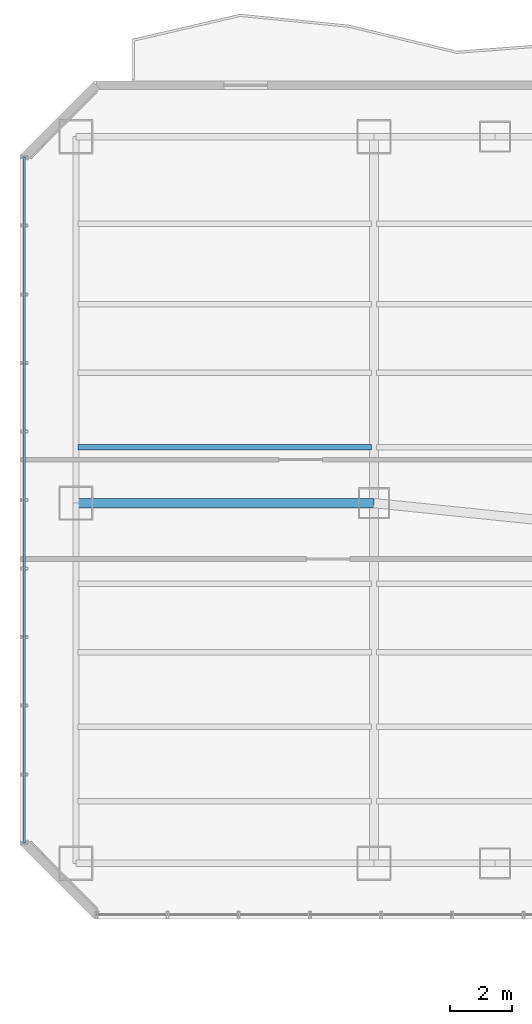
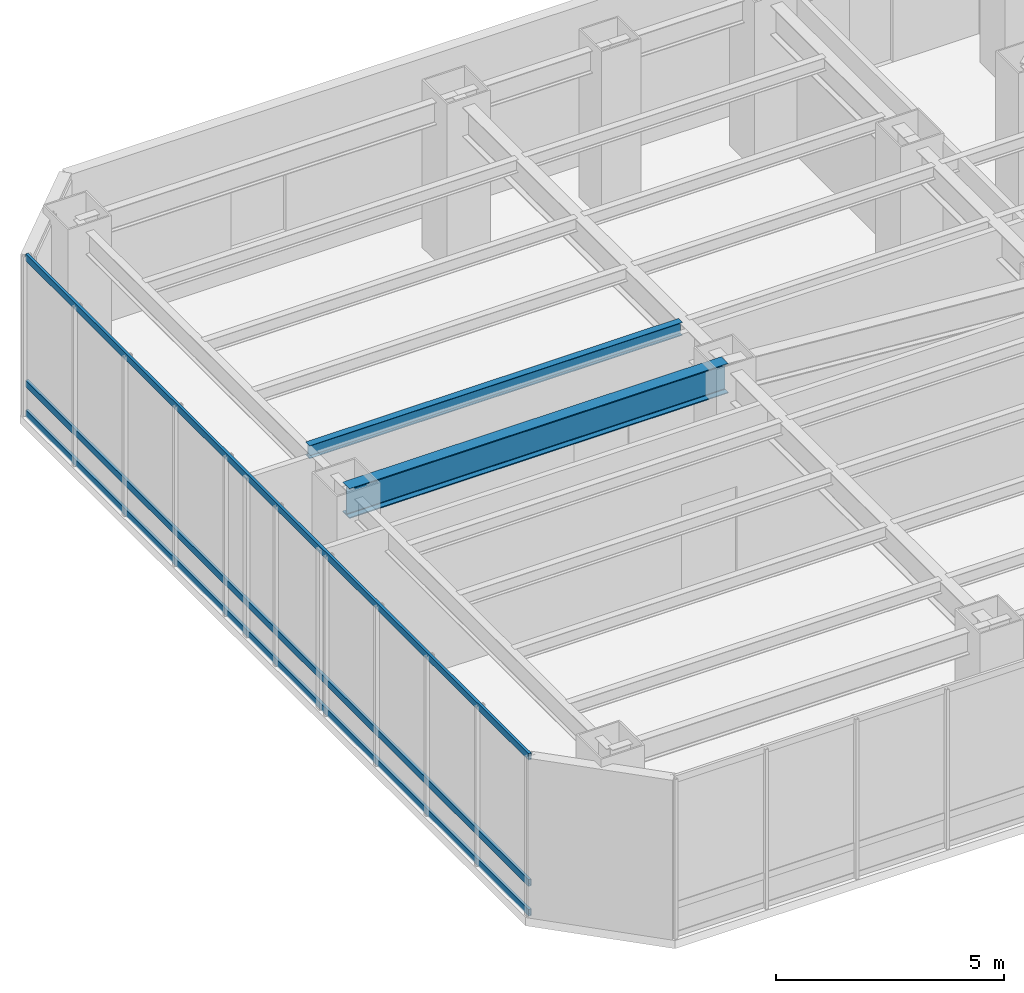
# One storey, part 11 of 29: 3 members, 2 beams, 1 element without a shape of its own.
"""IFC4 building model written with IfcOpenShell, lengths in metres."""

from ifc_helpers import new_model, si_unit, direction, frame, origin, origin_2d, place, context, subcontext, project, spatial, hollow_rectangle, i_section, extrude, material, layer, layer_set, material_profile, profile_set, type_object, element, aggregate, save


model = new_model("IFC4")

# Units and contexts
model_context = context("Model", 3, precision=1e-05, world=origin(), true_north=direction((0.0, 1.0)))
body_context = subcontext(model_context, "Body", "Model", "MODEL_VIEW")
ifc_project = project(units=[si_unit("LENGTHUNIT", "METRE"), si_unit("AREAUNIT", "SQUARE_METRE"), si_unit("VOLUMEUNIT", "CUBIC_METRE"), si_unit("PLANEANGLEUNIT", "RADIAN"), si_unit("MASSUNIT", "GRAM", prefix="KILO")], contexts=[model_context])

# Site, building, storey
site_placement = place(None, origin())
site = spatial("IfcSite", under=ifc_project, at=site_placement, CompositionType="ELEMENT")
building_placement = place(site_placement, origin())
building = spatial("IfcBuilding", under=site, at=building_placement, Name="Hatsunagi Terrace Concourse", CompositionType="ELEMENT")
storey_placement = place(building_placement, frame((0.0, 0.0, 32.10009765625)))
storey = spatial("IfcBuildingStorey", under=building, at=storey_placement, Name="L07", CompositionType="ELEMENT", Elevation=32.10009765625)

# Curtain wall, members
ifc_material_1 = material(Name="Anodised Aluminium Alloy 6063-T5", Category="aluminium")
ifc_layer = layer(ifc_material_1, 0.199951171875)
ifc_layer_set = layer_set([ifc_layer], Name="SkyLobbyAtrium_CW05")
curtain_wall_type = type_object("IfcCurtainWallType", Name="SkyLobbyAtrium_CW05", PredefinedType="NOTDEFINED", material=ifc_layer_set)
curtain_wall_placement = place(storey_placement, origin())
curtain_wall = element("IfcCurtainWall", 1, at=curtain_wall_placement, inside=storey, type_object=curtain_wall_type, Name="Unitised Curtain Wall CW-05 CW-L07-09", PredefinedType="NOTDEFINED")
ifc_material_2 = material(Name="Anodised Aluminium Alloy 6063-T5", Category="aluminium")
ifc_material_profile_1 = material_profile(ifc_material_2, hollow_rectangle(XDim=0.070068359375, YDim=0.179931640625, WallThickness=0.00390625, at=origin_2d()), Name="ALU-TRN-180x70x4")
ifc_profile_set_1 = profile_set([ifc_material_profile_1], Name="Anodised Aluminium Alloy 6063-T5")
member_type = type_object("IfcMemberType", Name="CurtainWallTransom_Heavy_180x70", PredefinedType="USERDEFINED", material=ifc_profile_set_1)
member_1_placement = place(storey_placement, frame((0.139892578125, 25.85791015625, 0.0498046875), z_axis=(0.0, 1.0, 0.0), x_axis=(-1.0, 0.0, 0.0)))
member_1 = element("IfcMember", 2, at=member_1_placement, type_object=member_type, Name="Curtain Wall Transom TRN-01", ObjectType="TRANSOM", PredefinedType="USERDEFINED", context=body_context, shape_type="SweptSolid", body=[
    extrude(hollow_rectangle(XDim=0.070068359375, YDim=0.179931640625, WallThickness=0.00390625, at=origin_2d()), origin(), (0.0, 0.0, 1.0), 22.083984375),
])
member_2_placement = place(storey_placement, frame((0.139892578125, 25.85791015625, 0.849853515625), z_axis=(0.0, 1.0, 0.0), x_axis=(-1.0, 0.0, 0.0)))
member_2 = element("IfcMember", 3, at=member_2_placement, type_object=member_type, Name="Curtain Wall Transom TRN-01", ObjectType="TRANSOM", PredefinedType="USERDEFINED", context=body_context, shape_type="SweptSolid", body=[
    extrude(hollow_rectangle(XDim=0.070068359375, YDim=0.179931640625, WallThickness=0.00390625, at=origin_2d()), origin(), (0.0, 0.0, 1.0), 22.083984375),
])
member_3_placement = place(storey_placement, frame((0.139892578125, 25.85791015625, 4.22998046875), z_axis=(0.0, 1.0, 0.0), x_axis=(-1.0, 0.0, 0.0)))
member_3 = element("IfcMember", 4, at=member_3_placement, type_object=member_type, Name="Curtain Wall Transom TRN-01", ObjectType="TRANSOM", PredefinedType="USERDEFINED", context=body_context, shape_type="SweptSolid", body=[
    extrude(hollow_rectangle(XDim=0.070068359375, YDim=0.179931640625, WallThickness=0.00390625, at=origin_2d()), origin(), (0.0, 0.0, 1.0), 22.083984375),
])
aggregate(curtain_wall, [member_1, member_2, member_3])

# Beams
ifc_material_3 = material(Name="Steel SN490B", Category="steel")
ifc_material_profile_2 = material_profile(ifc_material_3, i_section(OverallWidth=0.175048828125, OverallDepth=0.35009765625, WebThickness=0.007080078125, FlangeThickness=0.010986328125, FilletRadius=0.012939453125, at=origin_2d()), Name="H-350x175x7x11")
ifc_profile_set_2 = profile_set([ifc_material_profile_2], Name="Steel SN490B")
beam_type_1 = type_object("IfcBeamType", Name="HotelJoist_H_350x175", PredefinedType="JOIST", material=ifc_profile_set_2)
beam_1_placement = place(storey_placement, frame((1.864990234375, 38.60009765625, 4.10498046875), z_axis=(1.0, 0.0, 0.0), x_axis=(0.0, 1.0, 0.0)))
element("IfcBeam", 5, at=beam_1_placement, inside=storey, type_object=beam_type_1, Name="Beam J-02 J-L07-W-1-386", PredefinedType="JOIST", context=body_context, shape_type="SweptSolid", body=[
    extrude(i_section(OverallWidth=0.175048828125, OverallDepth=0.35009765625, WebThickness=0.007080078125, FlangeThickness=0.010986328125, FilletRadius=0.012939453125, at=origin_2d()), origin(), (0.0, 0.0, 1.0), 9.449951171875),
])
ifc_material_4 = material(Name="Steel SN490B", Category="steel")
ifc_material_profile_3 = material_profile(ifc_material_4, i_section(OverallWidth=0.300048828125, OverallDepth=0.800048828125, WebThickness=0.013916015625, FlangeThickness=0.02587890625, FilletRadius=0.02197265625, at=origin_2d()), Name="H-800x300x14x26")
ifc_profile_set_3 = profile_set([ifc_material_profile_3], Name="Steel SN490B")
beam_type_2 = type_object("IfcBeamType", Name="SkyLobbyGirder_H_800x300", PredefinedType="BEAM", material=ifc_profile_set_3)
beam_2_placement = place(storey_placement, frame((1.800048828125, 36.800048828125, 3.8798828125), z_axis=(1.0, 0.0, 0.0), x_axis=(0.0, 1.0, 0.0)))
element("IfcBeam", 6, at=beam_2_placement, inside=storey, type_object=beam_type_2, Name="Beam G-03 BM-L07-EW-1", PredefinedType="BEAM", context=body_context, shape_type="SweptSolid", body=[
    extrude(i_section(OverallWidth=0.300048828125, OverallDepth=0.800048828125, WebThickness=0.013916015625, FlangeThickness=0.02587890625, FilletRadius=0.02197265625, at=origin_2d()), origin(), (0.0, 0.0, 1.0), 9.599853515625),
])

save(model, "model.ifc")
